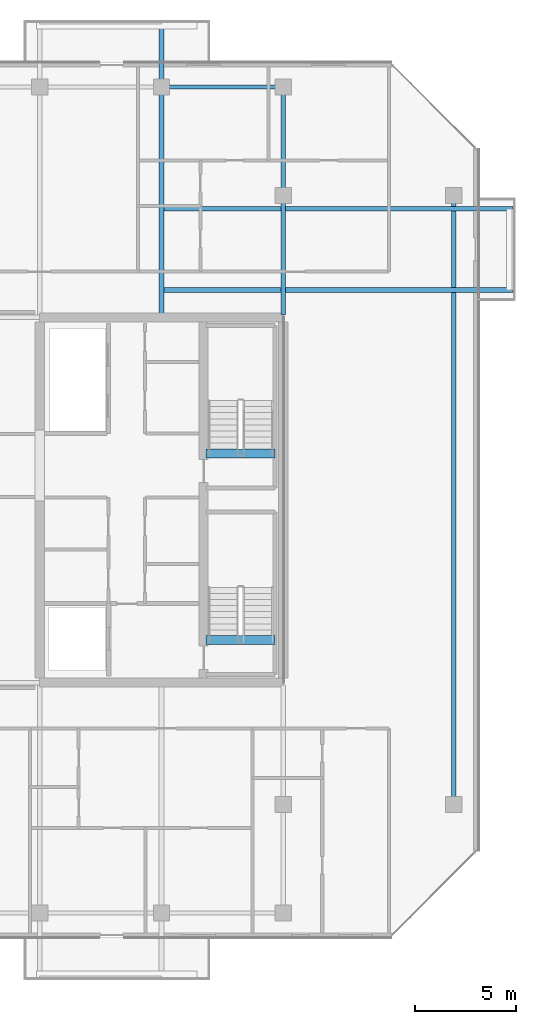
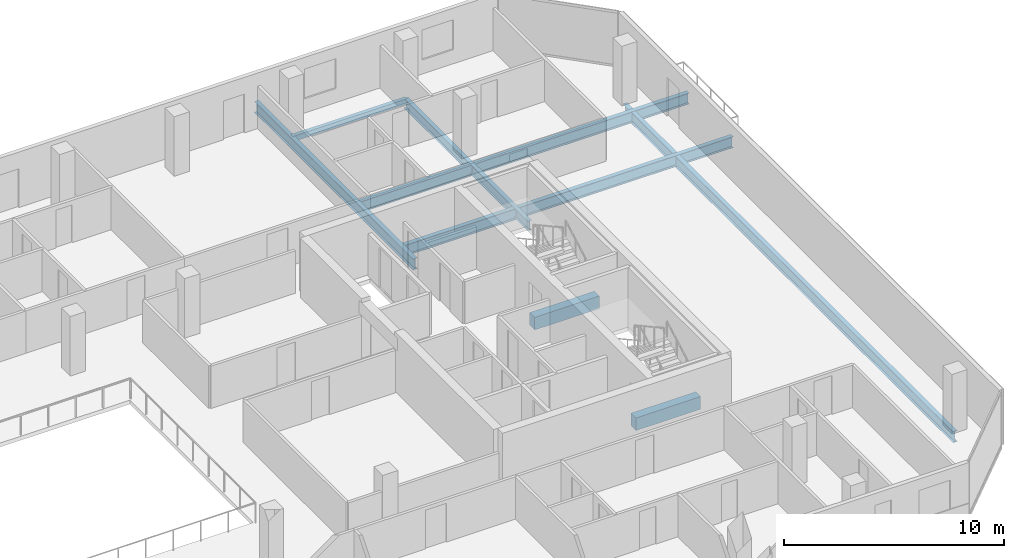
# One storey, part 15 of 29: 8 beams.
"""IFC4 building model written with IfcOpenShell, lengths in metres."""

from ifc_helpers import new_model, si_unit, direction, frame, origin, origin_2d, place, context, subcontext, project, spatial, rectangle, hollow_rectangle, i_section, extrude, material, material_profile, profile_set, type_object, element, save


model = new_model("IFC4")

# Units and contexts
model_context = context("Model", 3, precision=1e-05, world=origin(), true_north=direction((0.0, 1.0)))
body_context = subcontext(model_context, "Body", "Model", "MODEL_VIEW")
ifc_project = project(units=[si_unit("LENGTHUNIT", "METRE"), si_unit("AREAUNIT", "SQUARE_METRE"), si_unit("VOLUMEUNIT", "CUBIC_METRE"), si_unit("PLANEANGLEUNIT", "RADIAN"), si_unit("MASSUNIT", "GRAM", prefix="KILO")], contexts=[model_context])

# Site, building, storey
site_placement = place(None, origin())
site = spatial("IfcSite", under=ifc_project, at=site_placement, CompositionType="ELEMENT")
building_placement = place(site_placement, origin())
building = spatial("IfcBuilding", under=site, at=building_placement, Name="Tanjung Sevakor Pilgrim Tower", CompositionType="ELEMENT")
storey_placement = place(building_placement, frame((0.0, 0.0, 188.429931640625)))
storey = spatial("IfcBuildingStorey", under=building, at=storey_placement, Name="L52", CompositionType="ELEMENT", Elevation=188.429931640625)

# Beams
ifc_material_1 = material(Name="Steel S355J2", Category="steel")
ifc_material_profile_1 = material_profile(ifc_material_1, i_section(OverallWidth=0.22900390625, OverallDepth=0.6123046875, WebThickness=0.011962890625, FlangeThickness=0.01953125, FilletRadius=0.0126953125, at=origin_2d()))
ifc_profile_set_1 = profile_set([ifc_material_profile_1], Name="Steel S355J2")
beam_type_1 = type_object("IfcBeamType", Name="BM-B-G4-UB_610x229x125", PredefinedType="BEAM", material=ifc_profile_set_1)
beam_1_placement = place(storey_placement, frame((98.39990234375, 18.60009765625, -0.526123046875), z_axis=(0.0, 1.0, 0.0), x_axis=(-1.0, 0.0, 0.0)))
element("IfcBeam", 1, at=beam_1_placement, inside=storey, type_object=beam_type_1, Name="L52 Short-End Edge Girder E", PredefinedType="BEAM", context=body_context, shape_type="SweptSolid", body=[
    extrude(i_section(OverallWidth=0.22900390625, OverallDepth=0.6123046875, WebThickness=0.011962890625, FlangeThickness=0.01953125, FilletRadius=0.0126953125, at=origin_2d()), origin(), (0.0, 0.0, 1.0), 30.0),
])
for number, where, z_axis, x_axis, name in (
    (2, (84.0, 43.949951171875, -0.526123046875), (1.0, 0.0, 0.0), (0.0, 1.0, 0.0), "L52 Balcony Overhanging Beam MAIN-E1-1"),
    (3, (84.0, 47.949951171875, -0.526123046875), (1.0, 0.0, 0.0), (0.0, 1.0, 0.0), "L52 Balcony Overhanging Beam MAIN-E1-2"),
):
    element("IfcBeam", number, at=place(storey_placement, frame(where, z_axis=z_axis, x_axis=x_axis)), inside=storey, type_object=beam_type_1, Name=name, PredefinedType="BEAM", context=body_context, shape_type="SweptSolid", body=[
        extrude(i_section(OverallWidth=0.22900390625, OverallDepth=0.6123046875, WebThickness=0.011962890625, FlangeThickness=0.01953125, FilletRadius=0.0126953125, at=origin_2d()), origin(), (0.0, 0.0, 1.0), 17.330078125),
    ])
beam_2_placement = place(storey_placement, frame((84.0, 42.714599609375, -0.526123046875), z_axis=(0.0, 1.0, 0.0), x_axis=(-1.0, 0.0, 0.0)))
element("IfcBeam", 4, at=beam_2_placement, inside=storey, type_object=beam_type_1, Name="L52 Balcony Cantilever Beam MAIN-N4-2", PredefinedType="BEAM", context=body_context, shape_type="SweptSolid", body=[
    extrude(i_section(OverallWidth=0.22900390625, OverallDepth=0.6123046875, WebThickness=0.011962890625, FlangeThickness=0.01953125, FilletRadius=0.0126953125, at=origin_2d()), origin(), (0.0, 0.0, 1.0), 14.415283203125),
])
ifc_material_2 = material(Name="Steel S355J2", Category="steel")
ifc_material_profile_2 = material_profile(ifc_material_2, i_section(OverallWidth=0.2119140625, OverallDepth=0.54443359375, WebThickness=0.0126953125, FlangeThickness=0.021240234375, FilletRadius=0.0126953125, at=origin_2d()))
ifc_profile_set_2 = profile_set([ifc_material_profile_2], Name="Steel S355J2")
beam_type_2 = type_object("IfcBeamType", Name="BM-B-G5-UB_533x210x122", PredefinedType="BEAM", material=ifc_profile_set_2)
beam_3_placement = place(storey_placement, frame((90.0, 42.714599609375, -0.4921875), z_axis=(0.0, 1.0, 0.0), x_axis=(-1.0, 0.0, 0.0)))
element("IfcBeam", 5, at=beam_3_placement, inside=storey, type_object=beam_type_2, Name="L52 MAIN Girder 014", PredefinedType="BEAM", context=body_context, shape_type="SweptSolid", body=[
    extrude(i_section(OverallWidth=0.2119140625, OverallDepth=0.54443359375, WebThickness=0.0126953125, FlangeThickness=0.021240234375, FilletRadius=0.0126953125, at=origin_2d()), origin(), (0.0, 0.0, 1.0), 11.2353515625),
])
ifc_material_3 = material(Name="Concrete C60/75", Category="concrete")
ifc_material_profile_3 = material_profile(ifc_material_3, rectangle(XDim=0.449951171875, YDim=0.699951171875, at=origin_2d()))
ifc_profile_set_3 = profile_set([ifc_material_profile_3], Name="Concrete C60/75")
beam_type_3 = type_object("IfcBeamType", Name="BM-B-LN3-RC-BM_450x700", PredefinedType="LINTEL", material=ifc_profile_set_3)
for number, where, z_axis, x_axis, name in (
    (6, (86.199951171875, 26.699951171875, -0.349853515625), (1.0, 0.0, 0.0), (0.0, 1.0, 0.0), "L52 TS-E1 Stair Threshold Beam"),
    (7, (86.199951171875, 35.89990234375, -0.349853515625), (1.0, 0.0, 0.0), (0.0, 1.0, 0.0), "L52 TS-E2 Stair Threshold Beam"),
):
    element("IfcBeam", number, at=place(storey_placement, frame(where, z_axis=z_axis, x_axis=x_axis)), inside=storey, type_object=beam_type_3, Name=name, PredefinedType="LINTEL", context=body_context, shape_type="SweptSolid", body=[
        extrude(rectangle(XDim=0.449951171875, YDim=0.699951171875, at=origin_2d()), origin(), (0.0, 0.0, 1.0), 3.400146484375),
    ])
ifc_material_4 = material(Name="Steel S355J2", Category="steel")
ifc_material_profile_4 = material_profile(ifc_material_4, hollow_rectangle(XDim=0.199951171875, YDim=0.300048828125, WallThickness=0.012451171875, at=origin_2d()))
ifc_profile_set_4 = profile_set([ifc_material_profile_4], Name="Steel S355J2")
beam_type_4 = type_object("IfcBeamType", Name="BM-B-SP3-RHS_300x200x12.5", PredefinedType="SPANDREL", material=ifc_profile_set_4)
beam_4_placement = place(storey_placement, frame((84.0, 53.949951171875, -0.369873046875), z_axis=(1.0, 0.0, 0.0), x_axis=(0.0, 1.0, 0.0)))
element("IfcBeam", 8, at=beam_4_placement, inside=storey, type_object=beam_type_4, Name="L52 Spandrel MAIN N-16", PredefinedType="SPANDREL", context=body_context, shape_type="SweptSolid", body=[
    extrude(hollow_rectangle(XDim=0.199951171875, YDim=0.300048828125, WallThickness=0.012451171875, at=origin_2d()), origin(), (0.0, 0.0, 1.0), 6.0),
])

save(model, "model.ifc")
